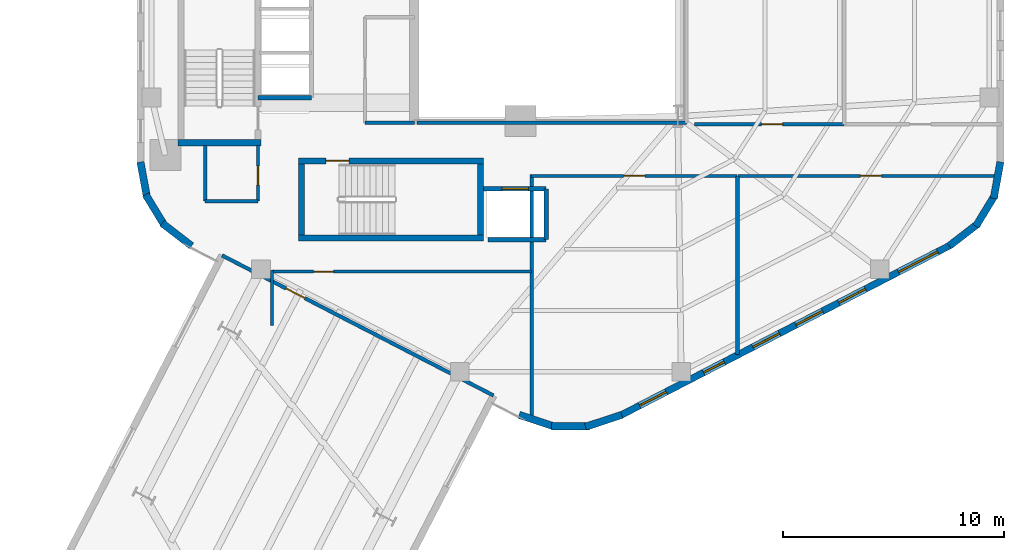
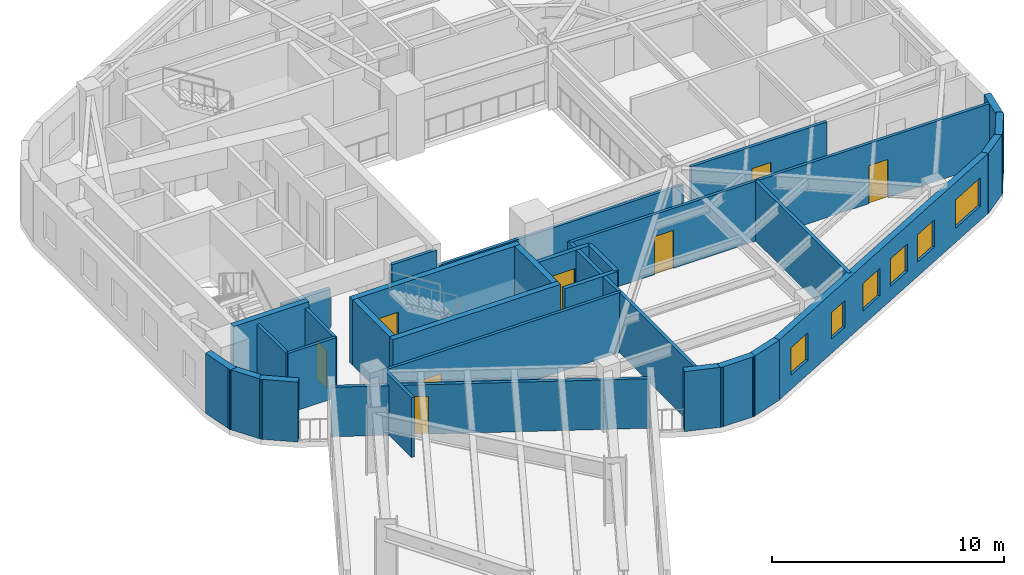
# One storey, part 5 of 9: 32 walls, 8 doors, 6 windows, 14 openings.
"""IFC4 building model written with IfcOpenShell, lengths in metres."""

from ifc_helpers import new_model, si_unit, direction, frame, frame_2d, origin, place, context, subcontext, project, spatial, rectangle, extrude, material, layer, layer_set, type_object, element, fill, save


model = new_model("IFC4")

# Units and contexts
model_context = context("Model", 3, precision=1e-05, world=origin(), true_north=direction((0.0, 1.0)))
body_context = subcontext(model_context, "Body", "Model", "MODEL_VIEW")
ifc_project = project(units=[si_unit("LENGTHUNIT", "METRE"), si_unit("AREAUNIT", "SQUARE_METRE"), si_unit("VOLUMEUNIT", "CUBIC_METRE"), si_unit("PLANEANGLEUNIT", "RADIAN"), si_unit("MASSUNIT", "GRAM", prefix="KILO"), si_unit("THERMODYNAMICTEMPERATUREUNIT", "KELVIN"), si_unit("POWERUNIT", "WATT")], contexts=[model_context])

# Site, building, storey
site_placement = place(None, origin())
site = spatial("IfcSite", under=ifc_project, at=site_placement, CompositionType="ELEMENT")
building_placement = place(site_placement, origin())
building = spatial("IfcBuilding", under=site, at=building_placement, Name="Skarre Station Tower", CompositionType="ELEMENT")
storey_placement = place(building_placement, frame((0.0, 0.0, 174.0)))
storey = spatial("IfcBuildingStorey", under=building, at=storey_placement, Name="L47", CompositionType="ELEMENT", Elevation=174.0)

# Walls
ifc_material_1 = material(Name="Acoustic Steel-Stud Gypsum Partition", Category="steel")
ifc_layer_1 = layer(ifc_material_1, 0.14990234375, Name="Acoustic Steel-Stud Gypsum Partition")
ifc_layer_set_1 = layer_set([ifc_layer_1], Name="Acoustic Steel-Stud Gypsum Partition")
wall_type_1 = type_object("IfcWallType", Name="Fire-Rated Corridor Acoustic Partition 150", PredefinedType="PARTITIONING", material=ifc_layer_set_1)
wall_1_placement = place(storey_placement, frame((25.320068359375, 18.360107421875, 0.0), z_axis=(0.0, 0.0, 1.0), x_axis=(1.0, 0.0, 0.0)))
element("IfcWall", 1, at=wall_1_placement, inside=storey, type_object=wall_type_1, Name="L47 Interior Partition WL-PT-L47-RC1-S", PredefinedType="PARTITIONING", context=body_context, shape_type="SweptSolid", body=[
    extrude(rectangle(XDim=2.22998046875, YDim=0.14990234375, at=frame_2d((1.114990234375, 0.0))), origin(), (0.0, 0.0, 1.0), 3.159912109375),
])
wall_2_placement = place(storey_placement, frame((18.10009765625, 17.340087890625, 0.0), z_axis=(0.0, 0.0, 1.0), x_axis=(0.0, -1.0, 0.0)))
element("IfcWall", 2, at=wall_2_placement, inside=storey, type_object=wall_type_1, Name="L47 Interior Partition WL-PT-L47-CSVC-W", PredefinedType="PARTITIONING", context=body_context, shape_type="SweptSolid", body=[
    extrude(rectangle(XDim=2.52001953125, YDim=0.14990234375, at=frame_2d((1.260009765625, 0.0))), origin(), (0.0, 0.0, 1.0), 3.159912109375),
])
wall_3_placement = place(storey_placement, frame((18.10009765625, 14.820068359375, 0.0), z_axis=(0.0, 0.0, 1.0), x_axis=(1.0, 0.0, 0.0)))
element("IfcWall", 3, at=wall_3_placement, inside=storey, type_object=wall_type_1, Name="L47 Interior Partition WL-PT-L47-CSVC-S", PredefinedType="PARTITIONING", context=body_context, shape_type="SweptSolid", body=[
    extrude(rectangle(XDim=2.389892578125, YDim=0.14990234375, at=frame_2d((1.19482421875, 0.0))), origin(), (0.0, 0.0, 1.0), 3.159912109375),
])

# Wall, opening, door
wall_4_placement = place(storey_placement, frame((20.489990234375, 14.820068359375, 0.0), z_axis=(0.0, 0.0, 1.0), x_axis=(0.0, 1.0, 0.0)))
wall_4 = element("IfcWall", 4, at=wall_4_placement, inside=storey, type_object=wall_type_1, Name="L47 Interior Partition WL-PT-L47-CSVC-E", PredefinedType="PARTITIONING", context=body_context, shape_type="SweptSolid", body=[
    extrude(rectangle(XDim=2.52001953125, YDim=0.14990234375, at=frame_2d((1.260009765625, 0.0))), origin(), (0.0, 0.0, 1.0), 3.159912109375),
])
opening_1_placement = place(wall_4_placement, frame((0.719970703125, 0.0, 0.0)))
opening_1 = element("IfcOpeningElement", 5, at=opening_1_placement, cuts=wall_4, Name="Opening DR-SVC86", PredefinedType="OPENING", context=body_context, shape_type="SweptSolid", body=[
    extrude(rectangle(XDim=0.860107421875, YDim=2.0, at=frame_2d((0.43017578125, 1.0))), frame((0.0, 0.0849609375, 0.0), z_axis=(0.0, -1.0, 0.0), x_axis=(1.0, 0.0, 0.0)), (0.0, 0.0, 1.0), 0.169921875),
])
ifc_material_2 = material(Name="Powder-Coated Hollow-Metal Acoustic Fire Leaf", Category="steel")
door_type_1 = type_object("IfcDoorType", Name="Compact Riser Fire Door FD60 860x2100", OperationType="SINGLE_SWING_LEFT", PredefinedType="DOOR", material=ifc_material_2)
door_1_placement = place(opening_1_placement, origin())
door_1 = element("IfcDoor", 6, at=door_1_placement, inside=storey, type_object=door_type_1, Name="L47 Core Staff Toilet Door", OperationType="SINGLE_SWING_LEFT", OverallHeight=2.0, OverallWidth=0.860107421875, PredefinedType="DOOR", context=body_context, shape_type="SweptSolid", body=[
    extrude(rectangle(XDim=0.860107421875, YDim=2.0, at=frame_2d((0.43017578125, 1.0))), frame((0.0, 0.02490234375, 0.0), z_axis=(0.0, -1.0, 0.0), x_axis=(1.0, 0.0, 0.0)), (0.0, 0.0, 1.0), 0.050048828125),
])
fill(opening_1, door_1)

# Walls
wall_5_placement = place(storey_placement, frame((27.675048828125, 18.360107421875, 0.0), z_axis=(0.0, 0.0, 1.0), x_axis=(1.0, 0.0, 0.0)))
element("IfcWall", 7, at=wall_5_placement, inside=storey, type_object=wall_type_1, Name="L47 Interior Partition WL-PT-L47-ATRW-S", PredefinedType="PARTITIONING", context=body_context, shape_type="SweptSolid", body=[
    extrude(rectangle(XDim=12.1650390625, YDim=0.14990234375, at=frame_2d((6.08251953125, 0.0))), origin(), (0.0, 0.0, 1.0), 2.301025390625),
])
wall_6_placement = place(storey_placement, frame((21.1201171875, 9.199951171875, 0.0), z_axis=(0.0, 0.0, 1.0), x_axis=(0.0, 1.0, 0.0)))
element("IfcWall", 8, at=wall_6_placement, inside=storey, type_object=wall_type_1, Name="L47 Interior Partition WL-PT-L47-SWP-W4", PredefinedType="PARTITIONING", context=body_context, shape_type="SweptSolid", body=[
    extrude(rectangle(XDim=2.47998046875, YDim=0.14990234375, at=frame_2d((1.239990234375, 0.0))), origin(), (0.0, 0.0, 1.0), 3.159912109375),
])

# Wall, opening, door
wall_7_placement = place(storey_placement, frame((21.10009765625, 11.639892578125, 0.0), z_axis=(0.0, 0.0, 1.0), x_axis=(1.0, 0.0, 0.0)))
wall_7 = element("IfcWall", 9, at=wall_7_placement, inside=storey, type_object=wall_type_1, Name="L47 Interior Partition WL-PT-L47-SWP-N", PredefinedType="PARTITIONING", context=body_context, shape_type="SweptSolid", body=[
    extrude(rectangle(XDim=11.75, YDim=0.14990234375, at=frame_2d((5.875, 0.0))), origin(), (0.0, 0.0, 1.0), 3.159912109375),
])
opening_2_placement = place(wall_7_placement, frame((1.89990234375, 0.0, 0.0)))
opening_2 = element("IfcOpeningElement", 10, at=opening_2_placement, cuts=wall_7, Name="Opening DR-SVC90", PredefinedType="OPENING", context=body_context, shape_type="SweptSolid", body=[
    extrude(rectangle(XDim=0.89990234375, YDim=2.0, at=frame_2d((0.449951171875, 1.0))), frame((0.0, 0.0849609375, 0.0), z_axis=(0.0, -1.0, 0.0), x_axis=(1.0, 0.0, 0.0)), (0.0, 0.0, 1.0), 0.169921875),
])
door_type_2 = type_object("IfcDoorType", Name="Service & Riser Fire Door FD60 900x2100", OperationType="SINGLE_SWING_LEFT", PredefinedType="DOOR", material=ifc_material_2)
door_2_placement = place(opening_2_placement, origin())
door_2 = element("IfcDoor", 11, at=door_2_placement, inside=storey, type_object=door_type_2, Name="L47 Floor Public Toilets Door", OperationType="SINGLE_SWING_LEFT", OverallHeight=2.0, OverallWidth=0.89990234375, PredefinedType="DOOR", context=body_context, shape_type="SweptSolid", body=[
    extrude(rectangle(XDim=0.89990234375, YDim=2.0, at=frame_2d((0.449951171875, 1.0))), frame((0.0, 0.02490234375, 0.0), z_axis=(0.0, -1.0, 0.0), x_axis=(1.0, 0.0, 0.0)), (0.0, 0.0, 1.0), 0.050048828125),
])
fill(opening_2, door_2)

wall_8_placement = place(storey_placement, frame((46.966064453125, 18.2900390625, 0.0), z_axis=(0.0, 0.0, 1.0), x_axis=(-1.0, 0.0, 0.0)))
wall_8 = element("IfcWall", 12, at=wall_8_placement, inside=storey, type_object=wall_type_1, Name="L47 Interior Partition WL-PT-L47-EWS1-CW", PredefinedType="PARTITIONING", context=body_context, shape_type="SweptSolid", body=[
    extrude(rectangle(XDim=6.76611328125, YDim=0.14990234375, at=frame_2d((3.383056640625, 0.0))), origin(), (0.0, 0.0, 1.0), 3.159912109375),
])
opening_3_placement = place(wall_8_placement, frame((2.782958984375, 0.0, 0.0)))
opening_3 = element("IfcOpeningElement", 13, at=opening_3_placement, cuts=wall_8, Name="Opening DR-FD60", PredefinedType="OPENING", context=body_context, shape_type="SweptSolid", body=[
    extrude(rectangle(XDim=0.9599609375, YDim=2.0, at=frame_2d((0.47998046875, 1.0))), frame((0.0, 0.0849609375, 0.0), z_axis=(0.0, -1.0, 0.0), x_axis=(1.0, 0.0, 0.0)), (0.0, 0.0, 1.0), 0.169921875),
])
ifc_material_3 = material(Name="Nordic White-Oak Veneer Solid-Core Fire Leaf", Category="wood")
door_type_3 = type_object("IfcDoorType", Name="Corridor Suite Entry Fire Door FD60 960x2150", OperationType="SINGLE_SWING_LEFT", PredefinedType="DOOR", material=ifc_material_3)
door_3_placement = place(opening_3_placement, origin())
door_3 = element("IfcDoor", 14, at=door_3_placement, inside=storey, type_object=door_type_3, Name="L47 EWS1 Entry Door", OperationType="SINGLE_SWING_LEFT", OverallHeight=2.0, OverallWidth=0.9599609375, PredefinedType="DOOR", context=body_context, shape_type="SweptSolid", body=[
    extrude(rectangle(XDim=0.9599609375, YDim=2.0, at=frame_2d((0.47998046875, 1.0))), frame((0.0, 0.02490234375, 0.0), z_axis=(0.0, -1.0, 0.0), x_axis=(1.0, 0.0, 0.0)), (0.0, 0.0, 1.0), 0.050048828125),
])
fill(opening_3, door_3)

wall_9_placement = place(storey_placement, frame((32.85009765625, 15.9599609375, 0.0), z_axis=(0.0, 0.0, 1.0), x_axis=(1.0, 0.0, 0.0)))
wall_9 = element("IfcWall", 15, at=wall_9_placement, inside=storey, type_object=wall_type_1, Name="L47 Interior Partition WL-PT-L47-SW1-CW", PredefinedType="PARTITIONING", context=body_context, shape_type="SweptSolid", body=[
    extrude(rectangle(XDim=9.27587890625, YDim=0.14990234375, at=frame_2d((4.637939453125, 0.0))), origin(), (0.0, 0.0, 1.0), 3.159912109375),
])
opening_4_placement = place(wall_9_placement, frame((4.157958984375, 0.0, 0.0)))
opening_4 = element("IfcOpeningElement", 16, at=opening_4_placement, cuts=wall_9, Name="Opening DR-FD60", PredefinedType="OPENING", context=body_context, shape_type="SweptSolid", body=[
    extrude(rectangle(XDim=0.9599609375, YDim=2.0, at=frame_2d((0.47998046875, 1.0))), frame((0.0, 0.0849609375, 0.0), z_axis=(0.0, -1.0, 0.0), x_axis=(1.0, 0.0, 0.0)), (0.0, 0.0, 1.0), 0.169921875),
])
door_4_placement = place(opening_4_placement, origin())
door_4 = element("IfcDoor", 17, at=door_4_placement, inside=storey, type_object=door_type_3, Name="L47 SW1 Entry Door", OperationType="SINGLE_SWING_LEFT", OverallHeight=2.0, OverallWidth=0.9599609375, PredefinedType="DOOR", context=body_context, shape_type="SweptSolid", body=[
    extrude(rectangle(XDim=0.9599609375, YDim=2.0, at=frame_2d((0.47998046875, 1.0))), frame((0.0, 0.02490234375, 0.0), z_axis=(0.0, -1.0, 0.0), x_axis=(1.0, 0.0, 0.0)), (0.0, 0.0, 1.0), 0.050048828125),
])
fill(opening_4, door_4)

wall_10_placement = place(storey_placement, frame((42.162109375, 15.9599609375, 0.0), z_axis=(0.0, 0.0, 1.0), x_axis=(1.0, 0.0, 0.0)))
wall_10 = element("IfcWall", 18, at=wall_10_placement, inside=storey, type_object=wall_type_1, Name="L47 Interior Partition WL-PT-L47-SW2-CW", PredefinedType="PARTITIONING", context=body_context, shape_type="SweptSolid", body=[
    extrude(rectangle(XDim=11.90087890625, YDim=0.14990234375, at=frame_2d((5.950439453125, 0.0))), origin(), (0.0, 0.0, 1.0), 3.159912109375),
])
opening_5_placement = place(wall_10_placement, frame((5.5390625, 0.0, 0.0)))
opening_5 = element("IfcOpeningElement", 19, at=opening_5_placement, cuts=wall_10, Name="Opening DR-FD60", PredefinedType="OPENING", context=body_context, shape_type="SweptSolid", body=[
    extrude(rectangle(XDim=0.9599609375, YDim=2.0, at=frame_2d((0.47998046875, 1.0))), frame((0.0, 0.0849609375, 0.0), z_axis=(0.0, -1.0, 0.0), x_axis=(1.0, 0.0, 0.0)), (0.0, 0.0, 1.0), 0.169921875),
])
door_5_placement = place(opening_5_placement, origin())
door_5 = element("IfcDoor", 20, at=door_5_placement, inside=storey, type_object=door_type_3, Name="L47 SW2 Entry Door", OperationType="SINGLE_SWING_LEFT", OverallHeight=2.0, OverallWidth=0.9599609375, PredefinedType="DOOR", context=body_context, shape_type="SweptSolid", body=[
    extrude(rectangle(XDim=0.9599609375, YDim=2.0, at=frame_2d((0.47998046875, 1.0))), frame((0.0, 0.02490234375, 0.0), z_axis=(0.0, -1.0, 0.0), x_axis=(1.0, 0.0, 0.0)), (0.0, 0.0, 1.0), 0.050048828125),
])
fill(opening_5, door_5)

# Walls
ifc_material_4 = material(Name="Precast concrete C45/55", Category="concrete")
ifc_layer_2 = layer(ifc_material_4, 0.330078125, Name="Precast concrete C45/55")
ifc_layer_set_2 = layer_set([ifc_layer_2], Name="Precast concrete C45/55")
wall_type_2 = type_object("IfcWallType", Name="Nordic Rounded Corner Precast Wall 330", PredefinedType="STANDARD", material=ifc_layer_set_2)
wall_11_placement = place(storey_placement, frame((17.489013671875, 12.800048828125, 0.0), z_axis=(0.0, 0.0, 1.0), x_axis=(-0.791409877269, 0.611285862884, 0.0)))
element("IfcWall", 21, at=wall_11_placement, inside=storey, type_object=wall_type_2, Name="L47 Rounded Corner Precast Wall F3-1", PredefinedType="STANDARD", context=body_context, shape_type="SweptSolid", body=[
    extrude(rectangle(XDim=1.676513671875, YDim=0.330078125, at=frame_2d((0.83837890625, 0.0))), origin(), (0.0, 0.0, 1.0), 3.159912109375),
])
wall_12_placement = place(storey_placement, frame((16.2880859375, 13.68505859375, 0.0), z_axis=(0.0, 0.0, 1.0), x_axis=(-0.520325409202, 0.853968072318, 0.0)))
element("IfcWall", 22, at=wall_12_placement, inside=storey, type_object=wall_type_2, Name="L47 Rounded Corner Precast Wall F3-2", PredefinedType="STANDARD", context=body_context, shape_type="SweptSolid", body=[
    extrude(rectangle(XDim=1.677978515625, YDim=0.330078125, at=frame_2d((0.8388671875, 0.0))), origin(), (0.0, 0.0, 1.0), 3.159912109375),
])
wall_13_placement = place(storey_placement, frame((15.48193359375, 14.943115234375, 0.0), z_axis=(0.0, 0.0, 1.0), x_axis=(-0.180717642671, 0.983535019014, 0.0)))
element("IfcWall", 23, at=wall_13_placement, inside=storey, type_object=wall_type_2, Name="L47 Rounded Corner Precast Wall F3-3", PredefinedType="STANDARD", context=body_context, shape_type="SweptSolid", body=[
    extrude(rectangle(XDim=1.676513671875, YDim=0.330078125, at=frame_2d((0.83837890625, 0.0))), origin(), (0.0, 0.0, 1.0), 3.159912109375),
])
wall_14_placement = place(storey_placement, frame((36.9189453125, 5.16796875, 0.0), z_axis=(0.0, 0.0, 1.0), x_axis=(-0.949937416267, -0.312440242569, 0.0)))
element("IfcWall", 24, at=wall_14_placement, inside=storey, type_object=wall_type_2, Name="L47 Rounded Corner Precast Wall F4-1", PredefinedType="STANDARD", context=body_context, shape_type="SweptSolid", body=[
    extrude(rectangle(XDim=1.72216796875, YDim=0.330078125, at=frame_2d((0.861083984375, 0.0))), origin(), (0.0, 0.0, 1.0), 3.159912109375),
])
wall_15_placement = place(storey_placement, frame((35.4609375, 4.658935546875, 0.0), z_axis=(0.0, 0.0, 1.0), x_axis=(-1.0, 0.0, 0.0)))
element("IfcWall", 25, at=wall_15_placement, inside=storey, type_object=wall_type_2, Name="L47 Rounded Corner Precast Wall F4-2", PredefinedType="STANDARD", context=body_context, shape_type="SweptSolid", body=[
    extrude(rectangle(XDim=1.721923828125, YDim=0.330078125, at=frame_2d((0.86083984375, 0.0))), origin(), (0.0, 0.0, 1.0), 3.159912109375),
])
wall_16_placement = place(storey_placement, frame((33.9169921875, 4.6298828125, 0.0), z_axis=(0.0, 0.0, 1.0), x_axis=(-0.949937416267, 0.312440242569, 0.0)))
element("IfcWall", 26, at=wall_16_placement, inside=storey, type_object=wall_type_2, Name="L47 Rounded Corner Precast Wall F4-3", PredefinedType="STANDARD", context=body_context, shape_type="SweptSolid", body=[
    extrude(rectangle(XDim=1.72216796875, YDim=0.330078125, at=frame_2d((0.861083984375, 0.0))), origin(), (0.0, 0.0, 1.0), 3.159912109375),
])
wall_17_placement = place(storey_placement, frame((54.02099609375, 16.592041015625, 0.0), z_axis=(0.0, 0.0, 1.0), x_axis=(-0.180717642671, -0.983535019014, 0.0)))
element("IfcWall", 27, at=wall_17_placement, inside=storey, type_object=wall_type_2, Name="L47 Rounded Corner Precast Wall F5-1", PredefinedType="STANDARD", context=body_context, shape_type="SweptSolid", body=[
    extrude(rectangle(XDim=1.676513671875, YDim=0.330078125, at=frame_2d((0.83837890625, 0.0))), origin(), (0.0, 0.0, 1.0), 3.159912109375),
])
wall_18_placement = place(storey_placement, frame((53.784912109375, 15.117919921875, 0.0), z_axis=(0.0, 0.0, 1.0), x_axis=(-0.520219286058, -0.85403272444, 0.0)))
element("IfcWall", 28, at=wall_18_placement, inside=storey, type_object=wall_type_2, Name="L47 Rounded Corner Precast Wall F5-2", PredefinedType="STANDARD", context=body_context, shape_type="SweptSolid", body=[
    extrude(rectangle(XDim=1.677734375, YDim=0.330078125, at=frame_2d((0.8388671875, 0.0))), origin(), (0.0, 0.0, 1.0), 3.159912109375),
])
wall_19_placement = place(storey_placement, frame((53.0380859375, 13.824951171875, 0.0), z_axis=(0.0, 0.0, 1.0), x_axis=(-0.791464279355, -0.611215423976, 0.0)))
element("IfcWall", 29, at=wall_19_placement, inside=storey, type_object=wall_type_2, Name="L47 Rounded Corner Precast Wall F5-3", PredefinedType="STANDARD", context=body_context, shape_type="SweptSolid", body=[
    extrude(rectangle(XDim=1.6767578125, YDim=0.330078125, at=frame_2d((0.83837890625, 0.0))), origin(), (0.0, 0.0, 1.0), 3.159912109375),
])

# Wall, openings, windows
ifc_layer_3 = layer(ifc_material_4, 0.31005859375, Name="Precast concrete C45/55")
ifc_layer_set_3 = layer_set([ifc_layer_3], Name="Precast concrete C45/55")
wall_type_3 = type_object("IfcWallType", Name="Nordic Upper-Zone Precast Facet Wall 310", PredefinedType="STANDARD", material=ifc_layer_set_3)
wall_20_placement = place(storey_placement, frame((51.7919921875, 12.846923828125, 0.0), z_axis=(0.0, 0.0, 1.0), x_axis=(-0.888626188278, -0.458632202867, 0.0)))
wall_20 = element("IfcWall", 30, at=wall_20_placement, inside=storey, type_object=wall_type_3, Name="L47 Facet 4 Nordic Precast Masonry Wall", PredefinedType="STANDARD", context=body_context, shape_type="SweptSolid", body=[
    extrude(rectangle(XDim=16.828369140625, YDim=0.31005859375, at=frame_2d((8.4140625, 0.0))), origin(), (0.0, 0.0, 1.0), 3.159912109375),
])
opening_6_placement = place(wall_20_placement, frame((0.675048828125, 0.0, 0.75)))
opening_6 = element("IfcOpeningElement", 31, at=opening_6_placement, cuts=wall_20, Name="Opening WN-Z3A", PredefinedType="OPENING", context=body_context, shape_type="SweptSolid", body=[
    extrude(rectangle(XDim=2.0, YDim=1.5, at=frame_2d((1.0, 0.75))), frame((0.0, 0.1650390625, 0.0), z_axis=(0.0, -1.0, 0.0), x_axis=(1.0, 0.0, 0.0)), (0.0, 0.0, 1.0), 0.330078125),
])
opening_7_placement = place(wall_20_placement, frame((4.34912109375, 0.0, 0.75)))
opening_7 = element("IfcOpeningElement", 32, at=opening_7_placement, cuts=wall_20, Name="Opening WN-Z3B", PredefinedType="OPENING", context=body_context, shape_type="SweptSolid", body=[
    extrude(rectangle(XDim=1.35009765625, YDim=1.449951171875, at=frame_2d((0.675048828125, 0.72509765625))), frame((0.0, 0.1650390625, 0.0), z_axis=(0.0, -1.0, 0.0), x_axis=(1.0, 0.0, 0.0)), (0.0, 0.0, 1.0), 0.330078125),
])
opening_8_placement = place(wall_20_placement, frame((6.533935546875, 0.0, 0.75)))
opening_8 = element("IfcOpeningElement", 33, at=opening_8_placement, cuts=wall_20, Name="Opening WN-Z3B", PredefinedType="OPENING", context=body_context, shape_type="SweptSolid", body=[
    extrude(rectangle(XDim=1.35009765625, YDim=1.449951171875, at=frame_2d((0.675048828125, 0.72509765625))), frame((0.0, 0.1650390625, 0.0), z_axis=(0.0, -1.0, 0.0), x_axis=(1.0, 0.0, 0.0)), (0.0, 0.0, 1.0), 0.330078125),
])
opening_9_placement = place(wall_20_placement, frame((8.718994140625, 0.0, 0.75)))
opening_9 = element("IfcOpeningElement", 34, at=opening_9_placement, cuts=wall_20, Name="Opening WN-Z3B", PredefinedType="OPENING", context=body_context, shape_type="SweptSolid", body=[
    extrude(rectangle(XDim=1.35009765625, YDim=1.449951171875, at=frame_2d((0.675048828125, 0.72509765625))), frame((0.0, 0.1650390625, 0.0), z_axis=(0.0, -1.0, 0.0), x_axis=(1.0, 0.0, 0.0)), (0.0, 0.0, 1.0), 0.330078125),
])
opening_10_placement = place(wall_20_placement, frame((11.530029296875, 0.0, 0.75)))
opening_10 = element("IfcOpeningElement", 35, at=opening_10_placement, cuts=wall_20, Name="Opening WN-SLT", PredefinedType="OPENING", context=body_context, shape_type="SweptSolid", body=[
    extrude(rectangle(XDim=1.050048828125, YDim=1.39990234375, at=frame_2d((0.52490234375, 0.699951171875))), frame((0.0, 0.1650390625, 0.0), z_axis=(0.0, -1.0, 0.0), x_axis=(1.0, 0.0, 0.0)), (0.0, 0.0, 1.0), 0.330078125),
])
opening_11_placement = place(wall_20_placement, frame((14.47802734375, 0.0, 0.75)))
opening_11 = element("IfcOpeningElement", 36, at=opening_11_placement, cuts=wall_20, Name="Opening WN-Z3B", PredefinedType="OPENING", context=body_context, shape_type="SweptSolid", body=[
    extrude(rectangle(XDim=1.35009765625, YDim=1.449951171875, at=frame_2d((0.675048828125, 0.72509765625))), frame((0.0, 0.1650390625, 0.0), z_axis=(0.0, -1.0, 0.0), x_axis=(1.0, 0.0, 0.0)), (0.0, 0.0, 1.0), 0.330078125),
])
ifc_material_5 = material(Name="Low-Iron Triple Glazing with Bronze Anodized Frame", Category="glass")
window_type_1 = type_object("IfcWindowType", Name="Nordic Corner Slot Window 1050x1400", PartitioningType="SINGLE_PANEL", PredefinedType="WINDOW", material=ifc_material_5)
window_1_placement = place(opening_10_placement, origin())
window_1 = element("IfcWindow", 37, at=window_1_placement, inside=storey, type_object=window_type_1, Name="L47 Facade Window WL-FAC-L47-F4-5", OverallHeight=1.39990234375, OverallWidth=1.050048828125, PartitioningType="SINGLE_PANEL", PredefinedType="WINDOW", context=body_context, shape_type="SweptSolid", body=[
    extrude(rectangle(XDim=1.050048828125, YDim=1.39990234375, at=frame_2d((0.52490234375, 0.699951171875))), frame((0.0, 0.030029296875, 0.0), z_axis=(0.0, -1.0, 0.0), x_axis=(1.0, 0.0, 0.0)), (0.0, 0.0, 1.0), 0.06005859375),
])
fill(opening_10, window_1)
window_type_2 = type_object("IfcWindowType", Name="Nordic Hospitality Narrow Window 1350x1450", PartitioningType="SINGLE_PANEL", PredefinedType="WINDOW", material=ifc_material_5)
window_2_placement = place(opening_7_placement, origin())
window_2 = element("IfcWindow", 38, at=window_2_placement, inside=storey, type_object=window_type_2, Name="L47 Facade Window WL-FAC-L47-F4-2", OverallHeight=1.449951171875, OverallWidth=1.35009765625, PartitioningType="SINGLE_PANEL", PredefinedType="WINDOW", context=body_context, shape_type="SweptSolid", body=[
    extrude(rectangle(XDim=1.35009765625, YDim=1.449951171875, at=frame_2d((0.675048828125, 0.72509765625))), frame((0.0, 0.030029296875, 0.0), z_axis=(0.0, -1.0, 0.0), x_axis=(1.0, 0.0, 0.0)), (0.0, 0.0, 1.0), 0.06005859375),
])
fill(opening_7, window_2)
window_3_placement = place(opening_8_placement, origin())
window_3 = element("IfcWindow", 39, at=window_3_placement, inside=storey, type_object=window_type_2, Name="L47 Facade Window WL-FAC-L47-F4-3", OverallHeight=1.449951171875, OverallWidth=1.35009765625, PartitioningType="SINGLE_PANEL", PredefinedType="WINDOW", context=body_context, shape_type="SweptSolid", body=[
    extrude(rectangle(XDim=1.35009765625, YDim=1.449951171875, at=frame_2d((0.675048828125, 0.72509765625))), frame((0.0, 0.030029296875, 0.0), z_axis=(0.0, -1.0, 0.0), x_axis=(1.0, 0.0, 0.0)), (0.0, 0.0, 1.0), 0.06005859375),
])
fill(opening_8, window_3)
window_4_placement = place(opening_9_placement, origin())
window_4 = element("IfcWindow", 40, at=window_4_placement, inside=storey, type_object=window_type_2, Name="L47 Facade Window WL-FAC-L47-F4-4", OverallHeight=1.449951171875, OverallWidth=1.35009765625, PartitioningType="SINGLE_PANEL", PredefinedType="WINDOW", context=body_context, shape_type="SweptSolid", body=[
    extrude(rectangle(XDim=1.35009765625, YDim=1.449951171875, at=frame_2d((0.675048828125, 0.72509765625))), frame((0.0, 0.030029296875, 0.0), z_axis=(0.0, -1.0, 0.0), x_axis=(1.0, 0.0, 0.0)), (0.0, 0.0, 1.0), 0.06005859375),
])
fill(opening_9, window_4)
window_5_placement = place(opening_11_placement, origin())
window_5 = element("IfcWindow", 41, at=window_5_placement, inside=storey, type_object=window_type_2, Name="L47 Facade Window WL-FAC-L47-F4-6", OverallHeight=1.449951171875, OverallWidth=1.35009765625, PartitioningType="SINGLE_PANEL", PredefinedType="WINDOW", context=body_context, shape_type="SweptSolid", body=[
    extrude(rectangle(XDim=1.35009765625, YDim=1.449951171875, at=frame_2d((0.675048828125, 0.72509765625))), frame((0.0, 0.030029296875, 0.0), z_axis=(0.0, -1.0, 0.0), x_axis=(1.0, 0.0, 0.0)), (0.0, 0.0, 1.0), 0.06005859375),
])
fill(opening_11, window_5)
window_type_3 = type_object("IfcWindowType", Name="Nordic Hospitality Window 2000x1500", PartitioningType="SINGLE_PANEL", PredefinedType="WINDOW", material=ifc_material_5)
window_6_placement = place(opening_6_placement, origin())
window_6 = element("IfcWindow", 42, at=window_6_placement, inside=storey, type_object=window_type_3, Name="L47 Facade Window WL-FAC-L47-F4-1", OverallHeight=1.5, OverallWidth=2.0, PartitioningType="SINGLE_PANEL", PredefinedType="WINDOW", context=body_context, shape_type="SweptSolid", body=[
    extrude(rectangle(XDim=2.0, YDim=1.5, at=frame_2d((1.0, 0.75))), frame((0.0, 0.030029296875, 0.0), z_axis=(0.0, -1.0, 0.0), x_axis=(1.0, 0.0, 0.0)), (0.0, 0.0, 1.0), 0.06005859375),
])
fill(opening_6, window_6)

# Walls
ifc_material_6 = material(Name="Concrete C50/60", Category="concrete")
ifc_layer_4 = layer(ifc_material_6, 0.280029296875, Name="Concrete C50/60")
ifc_layer_set_4 = layer_set([ifc_layer_4], Name="Concrete C50/60")
wall_type_4 = type_object("IfcWallType", Name="RC Core Shear Wall 280", PredefinedType="SHEAR", material=ifc_layer_set_4)
wall_21_placement = place(storey_placement, frame((16.8701171875, 17.4599609375, 0.0), z_axis=(0.0, 0.0, 1.0), x_axis=(1.0, 0.0, 0.0)))
element("IfcWall", 43, at=wall_21_placement, inside=storey, type_object=wall_type_4, Name="L47 Stair ST-1 South Shear Wall", PredefinedType="SHEAR", context=body_context, shape_type="SweptSolid", body=[
    extrude(rectangle(XDim=3.759765625, YDim=0.280029296875, at=frame_2d((1.8798828125, 0.0))), origin(), (0.0, 0.0, 1.0), 3.449951171875),
])
wall_22_placement = place(storey_placement, frame((22.320068359375, 13.159912109375, 0.0), z_axis=(0.0, 0.0, 1.0), x_axis=(1.0, 0.0, 0.0)))
element("IfcWall", 44, at=wall_22_placement, inside=storey, type_object=wall_type_4, Name="L47 Stair ST-2 South Shear Wall", PredefinedType="SHEAR", context=body_context, shape_type="SweptSolid", body=[
    extrude(rectangle(XDim=8.35986328125, YDim=0.280029296875, at=frame_2d((4.179931640625, 0.0))), origin(), (0.0, 0.0, 1.0), 3.449951171875),
])

# Wall, opening, door
wall_23_placement = place(storey_placement, frame((30.679931640625, 16.639892578125, 0.0), z_axis=(0.0, 0.0, 1.0), x_axis=(-1.0, 0.0, 0.0)))
wall_23 = element("IfcWall", 45, at=wall_23_placement, inside=storey, type_object=wall_type_4, Name="L47 Stair ST-2 North Shear Wall", PredefinedType="SHEAR", context=body_context, shape_type="SweptSolid", body=[
    extrude(rectangle(XDim=8.35986328125, YDim=0.280029296875, at=frame_2d((4.179931640625, 0.0))), origin(), (0.0, 0.0, 1.0), 3.449951171875),
])
opening_12_placement = place(wall_23_placement, frame((6.080078125, 0.0, 0.0)))
opening_12 = element("IfcOpeningElement", 46, at=opening_12_placement, cuts=wall_23, Name="Opening DR-FD90", PredefinedType="OPENING", context=body_context, shape_type="SweptSolid", body=[
    extrude(rectangle(XDim=1.050048828125, YDim=2.0, at=frame_2d((0.52490234375, 1.0))), frame((0.0, 0.14990234375, 0.0), z_axis=(0.0, -1.0, 0.0), x_axis=(1.0, 0.0, 0.0)), (0.0, 0.0, 1.0), 0.300048828125),
])
ifc_material_7 = material(Name="Fire-Rated Insulated Steel Frame & Timber Core Leaf", Category="steel")
door_type_4 = type_object("IfcDoorType", Name="Stair & FSAE Lobby Fire Door FD90 1050x2150", OperationType="SINGLE_SWING_RIGHT", PredefinedType="DOOR", material=ifc_material_7)
door_6_placement = place(opening_12_placement, origin())
door_6 = element("IfcDoor", 47, at=door_6_placement, inside=storey, type_object=door_type_4, Name="L47 Stair ST-2 Exit Door", OperationType="SINGLE_SWING_RIGHT", OverallHeight=2.0, OverallWidth=1.050048828125, PredefinedType="DOOR", context=body_context, shape_type="SweptSolid", body=[
    extrude(rectangle(XDim=1.050048828125, YDim=2.0, at=frame_2d((0.52490234375, 1.0))), frame((0.0, 0.02490234375, 0.0), z_axis=(0.0, -1.0, 0.0), x_axis=(1.0, 0.0, 0.0)), (0.0, 0.0, 1.0), 0.050048828125),
])
fill(opening_12, door_6)

# Walls
for number, where, z_axis, x_axis, name in (
    (48, (22.4599609375, 16.5, 0.0), (0.0, 0.0, 1.0), (0.0, -1.0, 0.0), "L47 Stair ST-2 West Shear Wall"),
    (49, (30.5400390625, 13.300048828125, 0.0), (0.0, 0.0, 1.0), (0.0, 1.0, 0.0), "L47 Stair ST-2 East Shear Wall"),
):
    element("IfcWall", number, at=place(storey_placement, frame(where, z_axis=z_axis, x_axis=x_axis)), inside=storey, type_object=wall_type_4, Name=name, PredefinedType="SHEAR", context=body_context, shape_type="SweptSolid", body=[
        extrude(rectangle(XDim=3.199951171875, YDim=0.280029296875, at=frame_2d((1.60009765625, 0.0))), origin(), (0.0, 0.0, 1.0), 3.449951171875),
    ])

# Wall, opening, door
ifc_material_8 = material(Name="Gypsum Concrete Shaft Assembly C30/37", Category="concrete")
ifc_layer_5 = layer(ifc_material_8, 0.199951171875, Name="Gypsum Concrete Shaft Assembly C30/37")
ifc_layer_set_5 = layer_set([ifc_layer_5], Name="Gypsum Concrete Shaft Assembly C30/37")
wall_type_5 = type_object("IfcWallType", Name="Shaft & Core Fire Partition 200", PredefinedType="PARTITIONING", material=ifc_layer_set_5)
wall_24_placement = place(storey_placement, frame((33.5, 15.3798828125, 0.0), z_axis=(0.0, 0.0, 1.0), x_axis=(-1.0, 0.0, 0.0)))
wall_24 = element("IfcWall", 50, at=wall_24_placement, inside=storey, type_object=wall_type_5, Name="L47 Interior Partition WL-PT-L47-SV1-N", PredefinedType="PARTITIONING", context=body_context, shape_type="SweptSolid", body=[
    extrude(rectangle(XDim=2.820068359375, YDim=0.199951171875, at=frame_2d((1.41015625, 0.0))), origin(), (0.0, 0.0, 1.0), 3.159912109375),
])
opening_13_placement = place(wall_24_placement, frame((0.800048828125, 0.0, 0.0)))
opening_13 = element("IfcOpeningElement", 51, at=opening_13_placement, cuts=wall_24, Name="Opening LD-SV1", PredefinedType="OPENING", context=body_context, shape_type="SweptSolid", body=[
    extrude(rectangle(XDim=1.199951171875, YDim=2.199951171875, at=frame_2d((0.60009765625, 1.10009765625))), frame((0.0, 0.10986328125, 0.0), z_axis=(0.0, -1.0, 0.0), x_axis=(1.0, 0.0, 0.0)), (0.0, 0.0, 1.0), 0.219970703125),
])
ifc_material_9 = material(Name="Heavy-Gauge Brushed Stainless Steel Sliding Leaves", Category="steel")
door_type_5 = type_object("IfcDoorType", Name="Service Elevator Wide Sliding Landing Door 1200x2200", OperationType="SLIDING_TO_RIGHT", PredefinedType="DOOR", material=ifc_material_9)
door_7_placement = place(opening_13_placement, origin())
door_7 = element("IfcDoor", 52, at=door_7_placement, inside=storey, type_object=door_type_5, Name="L47 Service Lift LF-SV1 Landing Door", OperationType="SLIDING_TO_RIGHT", OverallHeight=2.199951171875, OverallWidth=1.199951171875, PredefinedType="DOOR", context=body_context, shape_type="SweptSolid", body=[
    extrude(rectangle(XDim=1.199951171875, YDim=2.199951171875, at=frame_2d((0.60009765625, 1.10009765625))), frame((0.0, 0.02490234375, 0.0), z_axis=(0.0, -1.0, 0.0), x_axis=(1.0, 0.0, 0.0)), (0.0, 0.0, 1.0), 0.050048828125),
])
fill(opening_13, door_7)

# Walls
wall_25_placement = place(storey_placement, frame((33.5, 13.080078125, 0.0), z_axis=(0.0, 0.0, 1.0), x_axis=(0.0, 1.0, 0.0)))
element("IfcWall", 53, at=wall_25_placement, inside=storey, type_object=wall_type_5, Name="L47 Interior Partition WL-PT-L47-SV1-E", PredefinedType="PARTITIONING", context=body_context, shape_type="SweptSolid", body=[
    extrude(rectangle(XDim=2.2998046875, YDim=0.199951171875, at=frame_2d((1.14990234375, 0.0))), origin(), (0.0, 0.0, 1.0), 3.159912109375),
])
wall_26_placement = place(storey_placement, frame((30.87890625, 13.080078125, 0.0), z_axis=(0.0, 0.0, 1.0), x_axis=(1.0, 0.0, 0.0)))
element("IfcWall", 54, at=wall_26_placement, inside=storey, type_object=wall_type_5, Name="L47 Interior Partition WL-PT-L47-SV1-S", PredefinedType="PARTITIONING", context=body_context, shape_type="SweptSolid", body=[
    extrude(rectangle(XDim=2.62109375, YDim=0.199951171875, at=frame_2d((1.310546875, 0.0))), origin(), (0.0, 0.0, 1.0), 3.159912109375),
])
wall_27_placement = place(storey_placement, frame((20.489990234375, 19.5, 0.0), z_axis=(0.0, 0.0, 1.0), x_axis=(1.0, 0.0, 0.0)))
element("IfcWall", 55, at=wall_27_placement, inside=storey, type_object=wall_type_5, Name="L47 Interior Partition WL-PT-L47-B3-S", PredefinedType="PARTITIONING", context=body_context, shape_type="SweptSolid", body=[
    extrude(rectangle(XDim=2.409912109375, YDim=0.199951171875, at=frame_2d((1.205078125, 0.0))), origin(), (0.0, 0.0, 1.0), 2.06005859375),
])
ifc_layer_6 = layer(ifc_material_1, 0.1650390625, Name="Acoustic Steel-Stud Gypsum Partition")
ifc_layer_set_6 = layer_set([ifc_layer_6], Name="Acoustic Steel-Stud Gypsum Partition")
wall_type_6 = type_object("IfcWallType", Name="Suite Demising Acoustic Partition 165", PredefinedType="PARTITIONING", material=ifc_layer_set_6)
wall_28_placement = place(storey_placement, frame((32.85009765625, 4.97607421875, 0.0), z_axis=(0.0, 0.0, 1.0), x_axis=(0.0, 1.0, 0.0)))
element("IfcWall", 56, at=wall_28_placement, inside=storey, type_object=wall_type_6, Name="L47 Interior Partition WL-PT-L47-SWP-E", PredefinedType="PARTITIONING", context=body_context, shape_type="SweptSolid", body=[
    extrude(rectangle(XDim=11.053955078125, YDim=0.1650390625, at=frame_2d((5.52685546875, 0.0))), origin(), (0.0, 0.0, 1.0), 3.159912109375),
])
wall_29_placement = place(storey_placement, frame((42.14404296875, 7.884033203125, 0.0), z_axis=(0.0, 0.0, 1.0), x_axis=(0.0, 1.0, 0.0)))
element("IfcWall", 57, at=wall_29_placement, inside=storey, type_object=wall_type_6, Name="L47 Interior Partition WL-PT-L47-SW-P1", PredefinedType="PARTITIONING", context=body_context, shape_type="SweptSolid", body=[
    extrude(rectangle(XDim=8.0458984375, YDim=0.1650390625, at=frame_2d((4.02294921875, 0.0))), origin(), (0.0, 0.0, 1.0), 3.159912109375),
])

# Wall, opening, door
wall_30_placement = place(storey_placement, frame((18.865966796875, 12.3701171875, 0.0), z_axis=(0.0, 0.0, 1.0), x_axis=(0.888625308836, -0.458633906832, 0.0)))
wall_30 = element("IfcWall", 58, at=wall_30_placement, inside=storey, type_object=wall_type_6, Name="L47 Interior Partition WL-PT-L47-SB-4-ROOT", PredefinedType="PARTITIONING", context=body_context, shape_type="SweptSolid", body=[
    extrude(rectangle(XDim=13.7998046875, YDim=0.1650390625, at=frame_2d((6.89990234375, 0.0))), origin(), (0.0, 0.0, 1.0), 2.611083984375),
])
opening_14_placement = place(wall_30_placement, frame((3.25, 0.0, 0.0)))
opening_14 = element("IfcOpeningElement", 59, at=opening_14_placement, cuts=wall_30, Name="Opening DR-FD60", PredefinedType="OPENING", context=body_context, shape_type="SweptSolid", body=[
    extrude(rectangle(XDim=0.9599609375, YDim=2.0, at=frame_2d((0.47998046875, 1.0))), frame((0.0, 0.092529296875, 0.0), z_axis=(0.0, -1.0, 0.0), x_axis=(1.0, 0.0, 0.0)), (0.0, 0.0, 1.0), 0.18505859375),
])
door_8_placement = place(opening_14_placement, origin())
door_8 = element("IfcDoor", 60, at=door_8_placement, inside=storey, type_object=door_type_3, Name="L47 SB-4 Horizon Salon Door", OperationType="SINGLE_SWING_LEFT", OverallHeight=2.0, OverallWidth=0.9599609375, PredefinedType="DOOR", context=body_context, shape_type="SweptSolid", body=[
    extrude(rectangle(XDim=0.9599609375, YDim=2.0, at=frame_2d((0.47998046875, 1.0))), frame((0.0, 0.02490234375, 0.0), z_axis=(0.0, -1.0, 0.0), x_axis=(1.0, 0.0, 0.0)), (0.0, 0.0, 1.0), 0.050048828125),
])
fill(opening_14, door_8)

save(model, "model.ifc")
